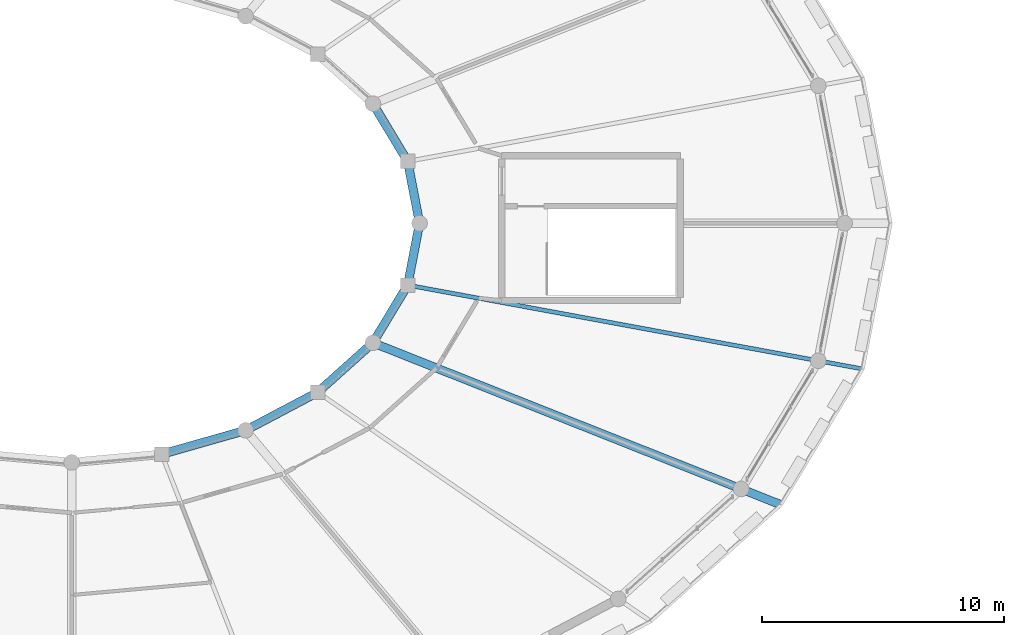
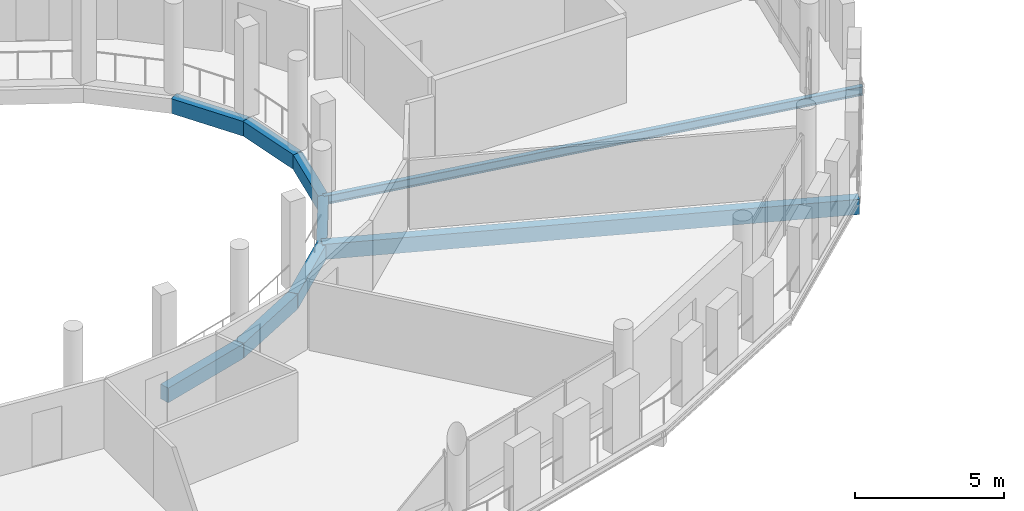
# One storey, part 35 of 84: 9 beams.
"""IFC4 building model written with IfcOpenShell, lengths in metres."""

from ifc_helpers import new_model, si_unit, direction, frame, origin, origin_2d, place, context, subcontext, project, spatial, rectangle, i_section, extrude, material, material_profile, profile_set, type_object, element, save


model = new_model("IFC4")

# Units and contexts
model_context = context("Model", 3, precision=1e-05, world=origin(), true_north=direction((0.0, 1.0)))
body_context = subcontext(model_context, "Body", "Model", "MODEL_VIEW")
ifc_project = project(units=[si_unit("LENGTHUNIT", "METRE"), si_unit("AREAUNIT", "SQUARE_METRE"), si_unit("VOLUMEUNIT", "CUBIC_METRE"), si_unit("PLANEANGLEUNIT", "RADIAN"), si_unit("MASSUNIT", "GRAM", prefix="KILO")], contexts=[model_context])

# Site, building, storey
site_placement = place(None, origin())
site = spatial("IfcSite", under=ifc_project, at=site_placement, CompositionType="ELEMENT")
building_placement = place(site_placement, origin())
building = spatial("IfcBuilding", under=site, at=building_placement, Name="Zornivar Specialist Clinic", CompositionType="ELEMENT")
storey_placement = place(building_placement, frame((0.0, 0.0, 12.300048828125)))
storey = spatial("IfcBuildingStorey", under=building, at=storey_placement, Name="L03", CompositionType="ELEMENT", Elevation=12.300048828125)

# Beams
ifc_material_1 = material(Name="Concrete C30/37", Category="concrete")
ifc_material_profile_1 = material_profile(ifc_material_1, rectangle(XDim=0.360107421875, YDim=0.60009765625, at=origin_2d()), Name="RC 360x600")
ifc_profile_set_1 = profile_set([ifc_material_profile_1], Name="Concrete C30/37")
beam_type_1 = type_object("IfcBeamType", Name="BM-RC-360x600", PredefinedType="BEAM", material=ifc_profile_set_1)
beam_1_placement = place(storey_placement, frame((108.0, 57.60009765625, -0.590087890625), z_axis=(-0.188208648203, 0.982129067252, 0.0), x_axis=(-0.982129067252, -0.188208648203, 0.0)))
element("IfcBeam", 1, at=beam_1_placement, inside=storey, type_object=beam_type_1, Name="bm:V1:L03:inring:00", PredefinedType="BEAM", context=body_context, shape_type="SweptSolid", body=[
    extrude(rectangle(XDim=0.360107421875, YDim=0.60009765625, at=origin_2d()), origin(), (0.0, 0.0, 1.0), 2.608642578125),
])
beam_2_placement = place(storey_placement, frame((107.509033203125, 60.162109375, -0.590087890625), z_axis=(-0.515873260277, 0.856664916599, 0.0), x_axis=(-0.856664916599, -0.515873260277, 0.0)))
element("IfcBeam", 2, at=beam_2_placement, inside=storey, type_object=beam_type_1, Name="bm:V1:L03:inring:01", PredefinedType="BEAM", context=body_context, shape_type="SweptSolid", body=[
    extrude(rectangle(XDim=0.360107421875, YDim=0.60009765625, at=origin_2d()), origin(), (0.0, 0.0, 1.0), 2.78759765625),
])
beam_3_placement = place(storey_placement, frame((97.326904296875, 48.037109375, -0.590087890625), z_axis=(0.961783741221, 0.273810217345, 0.0), x_axis=(-0.273810217345, 0.961783741221, 0.0)))
element("IfcBeam", 3, at=beam_3_placement, inside=storey, type_object=beam_type_1, Name="bm:V1:L03:inring:19", PredefinedType="BEAM", context=body_context, shape_type="SweptSolid", body=[
    extrude(rectangle(XDim=0.360107421875, YDim=0.60009765625, at=origin_2d()), origin(), (0.0, 0.0, 1.0), 3.611083984375),
])
beam_4_placement = place(storey_placement, frame((100.800048828125, 49.02587890625, -0.590087890625), z_axis=(0.884333274309, 0.466856144813, 0.0), x_axis=(-0.466856144813, 0.884333274309, 0.0)))
element("IfcBeam", 4, at=beam_4_placement, inside=storey, type_object=beam_type_1, Name="bm:V1:L03:inring:20", PredefinedType="BEAM", context=body_context, shape_type="SweptSolid", body=[
    extrude(rectangle(XDim=0.360107421875, YDim=0.60009765625, at=origin_2d()), origin(), (0.0, 0.0, 1.0), 3.3720703125),
])
beam_5_placement = place(storey_placement, frame((103.781982421875, 50.60009765625, -0.590087890625), z_axis=(0.744966948512, 0.667101375822, 0.0), x_axis=(-0.667101375822, 0.744966948512, 0.0)))
element("IfcBeam", 5, at=beam_5_placement, inside=storey, type_object=beam_type_1, Name="bm:V1:L03:inring:21", PredefinedType="BEAM", context=body_context, shape_type="SweptSolid", body=[
    extrude(rectangle(XDim=0.360107421875, YDim=0.60009765625, at=origin_2d()), origin(), (0.0, 0.0, 1.0), 3.07275390625),
])
beam_6_placement = place(storey_placement, frame((106.071044921875, 52.64990234375, -0.590087890625), z_axis=(0.515834556349, 0.856688222445, 0.0), x_axis=(-0.856688222445, 0.515834556349, 0.0)))
element("IfcBeam", 6, at=beam_6_placement, inside=storey, type_object=beam_type_1, Name="bm:V1:L03:inring:22", PredefinedType="BEAM", context=body_context, shape_type="SweptSolid", body=[
    extrude(rectangle(XDim=0.360107421875, YDim=0.60009765625, at=origin_2d()), origin(), (0.0, 0.0, 1.0), 2.78759765625),
])
beam_7_placement = place(storey_placement, frame((107.509033203125, 55.0380859375, -0.590087890625), z_axis=(0.188208648203, 0.982129067252, 0.0), x_axis=(-0.982129067252, 0.188208648203, 0.0)))
element("IfcBeam", 7, at=beam_7_placement, inside=storey, type_object=beam_type_1, Name="bm:V1:L03:inring:23", PredefinedType="BEAM", context=body_context, shape_type="SweptSolid", body=[
    extrude(rectangle(XDim=0.360107421875, YDim=0.60009765625, at=origin_2d()), origin(), (0.0, 0.0, 1.0), 2.608642578125),
])
ifc_material_2 = material(Name="Concrete C30/37", Category="concrete")
ifc_material_profile_2 = material_profile(ifc_material_2, rectangle(XDim=0.35009765625, YDim=0.6201171875, at=origin_2d()), Name="RC 350x620")
ifc_profile_set_2 = profile_set([ifc_material_profile_2], Name="Concrete C30/37")
beam_type_2 = type_object("IfcBeamType", Name="BM-RC-CANT-350x620", PredefinedType="BEAM", material=ifc_profile_set_2)
beam_8_placement = place(storey_placement, frame((106.071044921875, 52.64990234375, -0.550048828125), z_axis=(0.92946024729, -0.368922280036, 0.0), x_axis=(0.368922280036, 0.92946024729, 0.0)))
element("IfcBeam", 8, at=beam_8_placement, inside=storey, type_object=beam_type_2, Name="bm:V1:L03:radcant:22", PredefinedType="BEAM", context=body_context, shape_type="SweptSolid", body=[
    extrude(rectangle(XDim=0.35009765625, YDim=0.6201171875, at=origin_2d()), origin(), (0.0, 0.0, 1.0), 18.18798828125),
])
ifc_material_3 = material(Name="Steel S355J2", Category="steel")
ifc_material_profile_3 = material_profile(ifc_material_3, i_section(OverallWidth=0.169921875, OverallDepth=0.360107421875, WebThickness=0.008056640625, FlangeThickness=0.0126953125, FilletRadius=0.01806640625, at=origin_2d()), Name="IPE 360")
ifc_profile_set_3 = profile_set([ifc_material_profile_3], Name="Steel S355J2")
beam_type_3 = type_object("IfcBeamType", Name="BM-STL-IPE360", PredefinedType="BEAM", material=ifc_profile_set_3)
beam_9_placement = place(storey_placement, frame((107.509033203125, 55.0380859375, -0.469970703125), z_axis=(0.983445426184, -0.181204563183, 0.0), x_axis=(0.181204563183, 0.983445426184, 0.0)))
element("IfcBeam", 9, at=beam_9_placement, inside=storey, type_object=beam_type_3, Name="bm:V1:L03:radmid:23", PredefinedType="BEAM", context=body_context, shape_type="SweptSolid", body=[
    extrude(i_section(OverallWidth=0.169921875, OverallDepth=0.360107421875, WebThickness=0.008056640625, FlangeThickness=0.0126953125, FilletRadius=0.01806640625, at=origin_2d()), origin(), (0.0, 0.0, 1.0), 19.17236328125),
])

save(model, "model.ifc")
